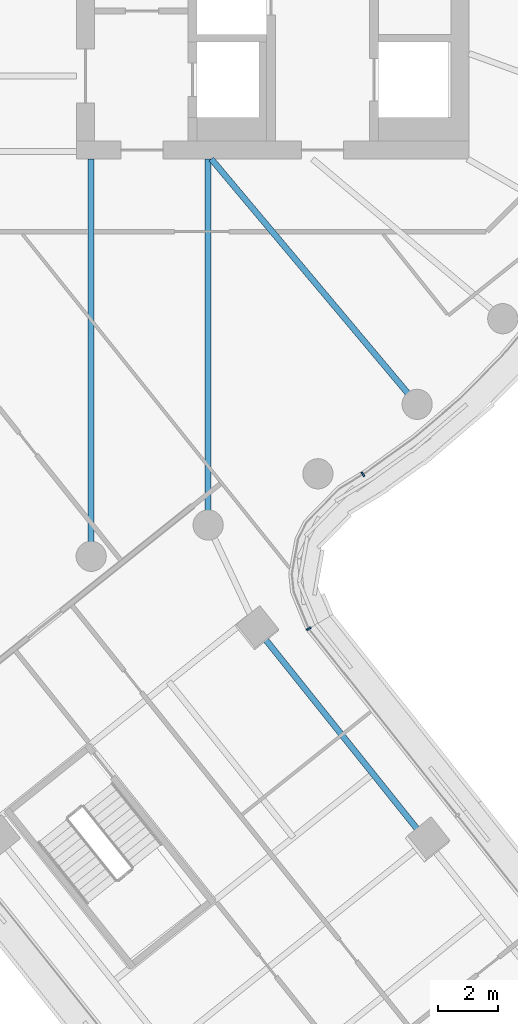
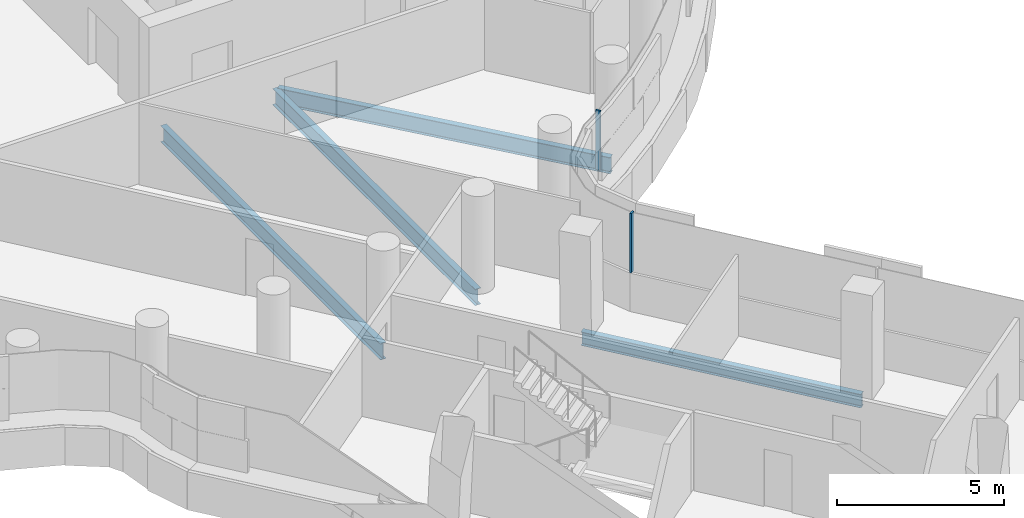
# One storey, part 6 of 31: 4 beams, 2 members, 1 element without a shape of its own.
"""IFC4 building model written with IfcOpenShell, lengths in metres."""

from ifc_helpers import new_model, si_unit, direction, frame, origin, origin_2d, place, context, subcontext, project, spatial, rectangle, i_section, extrude, material, layer, layer_set, material_profile, profile_set, type_object, element, aggregate, save


model = new_model("IFC4")

# Units and contexts
model_context = context("Model", 3, precision=1e-05, world=origin(), true_north=direction((0.0, 1.0)))
body_context = subcontext(model_context, "Body", "Model", "MODEL_VIEW")
ifc_project = project(units=[si_unit("LENGTHUNIT", "METRE"), si_unit("AREAUNIT", "SQUARE_METRE"), si_unit("VOLUMEUNIT", "CUBIC_METRE"), si_unit("PLANEANGLEUNIT", "RADIAN"), si_unit("MASSUNIT", "GRAM", prefix="KILO")], contexts=[model_context])

# Site, building, storey
site_placement = place(None, origin())
site = spatial("IfcSite", under=ifc_project, at=site_placement, CompositionType="ELEMENT")
building_placement = place(site_placement, origin())
building = spatial("IfcBuilding", under=site, at=building_placement, Name="Tamarind Cross Interchange Tower", CompositionType="ELEMENT")
storey_placement = place(building_placement, frame((0.0, 0.0, 174.25)))
storey = spatial("IfcBuildingStorey", under=building, at=storey_placement, Name="L43", CompositionType="ELEMENT", Elevation=174.25)

# Beams
ifc_material_1 = material(Name="Steel Q355B", Category="steel")
ifc_material_profile_1 = material_profile(ifc_material_1, i_section(OverallWidth=0.198974609375, OverallDepth=0.49609375, WebThickness=0.009033203125, FlangeThickness=0.013916015625, FilletRadius=0.012939453125, at=origin_2d()), Name="HN 496x199x9x14")
ifc_profile_set_1 = profile_set([ifc_material_profile_1], Name="Steel Q355B")
beam_type_1 = type_object("IfcBeamType", Name="Composite beam HN 496x199x9x14 Q355B", PredefinedType="BEAM", material=ifc_profile_set_1)
beam_1_placement = place(storey_placement, frame((15.1015625, -32.07373046875, -0.387939453125), z_axis=(-0.624652040483, 0.780903213158, 0.0), x_axis=(-0.780903213158, -0.624652040483, 0.0)))
element("IfcBeam", 1, at=beam_1_placement, inside=storey, type_object=beam_type_1, Name="Beam S-edgeep3", PredefinedType="BEAM", context=body_context, shape_type="SweptSolid", body=[
    extrude(i_section(OverallWidth=0.198974609375, OverallDepth=0.49609375, WebThickness=0.009033203125, FlangeThickness=0.013916015625, FilletRadius=0.012939453125, at=origin_2d()), origin(), (0.0, 0.0, 1.0), 9.0),
])
ifc_material_profile_2 = material_profile(ifc_material_1, i_section(OverallWidth=0.198974609375, OverallDepth=0.595947265625, WebThickness=0.010009765625, FlangeThickness=0.014892578125, FilletRadius=0.012939453125, at=origin_2d()), Name="HN 596x199x10x15")
ifc_profile_set_2 = profile_set([ifc_material_profile_2], Name="Steel Q355B")
beam_type_2 = type_object("IfcBeamType", Name="Composite beam HN 596x199x10x15 Q355B", PredefinedType="BEAM", material=ifc_profile_set_2)
beam_2_placement = place(storey_placement, frame((3.993896484375, -22.650634765625, -0.43798828125), z_axis=(0.0, 1.0, 0.0), x_axis=(-1.0, 0.0, 0.0)))
element("IfcBeam", 2, at=beam_2_placement, inside=storey, type_object=beam_type_2, Name="Beam HH28", PredefinedType="BEAM", context=body_context, shape_type="SweptSolid", body=[
    extrude(i_section(OverallWidth=0.198974609375, OverallDepth=0.595947265625, WebThickness=0.010009765625, FlangeThickness=0.014892578125, FilletRadius=0.012939453125, at=origin_2d()), origin(), (0.0, 0.0, 1.0), 13.150634765625),
])
beam_3_placement = place(storey_placement, frame((7.866455078125, -21.613037109375, -0.43798828125), z_axis=(0.0, 1.0, 0.0), x_axis=(-1.0, 0.0, 0.0)))
element("IfcBeam", 3, at=beam_3_placement, inside=storey, type_object=beam_type_2, Name="Beam HH29", PredefinedType="BEAM", context=body_context, shape_type="SweptSolid", body=[
    extrude(i_section(OverallWidth=0.198974609375, OverallDepth=0.595947265625, WebThickness=0.010009765625, FlangeThickness=0.014892578125, FilletRadius=0.012939453125, at=origin_2d()), origin(), (0.0, 0.0, 1.0), 12.113037109375),
])
beam_4_placement = place(storey_placement, frame((14.7841796875, -17.619140625, -0.43798828125), z_axis=(-0.642786293979, 0.766045547127, 0.0), x_axis=(-0.766045547127, -0.642786293979, 0.0)))
element("IfcBeam", 4, at=beam_4_placement, inside=storey, type_object=beam_type_2, Name="Beam HH31", PredefinedType="BEAM", context=body_context, shape_type="SweptSolid", body=[
    extrude(i_section(OverallWidth=0.198974609375, OverallDepth=0.595947265625, WebThickness=0.010009765625, FlangeThickness=0.014892578125, FilletRadius=0.012939453125, at=origin_2d()), origin(), (0.0, 0.0, 1.0), 10.598876953125),
])

# Curtain wall, members
ifc_material_2 = material(Name="Aluminium 6063-T6", Category="aluminium")
ifc_layer = layer(ifc_material_2, 0.159912109375)
ifc_layer_set = layer_set([ifc_layer], Name="Aluminium 6063-T6")
curtain_wall_type = type_object("IfcCurtainWallType", Name="Office curtain wall, 9.0 m bays", PredefinedType="NOTDEFINED", material=ifc_layer_set)
curtain_wall_placement = place(storey_placement, origin())
curtain_wall = element("IfcCurtainWall", 5, at=curtain_wall_placement, inside=storey, type_object=curtain_wall_type, Name="CWS-L43-06", PredefinedType="NOTDEFINED")
ifc_material_profile_3 = material_profile(ifc_material_2, rectangle(XDim=0.06005859375, YDim=0.159912109375, at=origin_2d()), Name="Mullion CW1")
ifc_profile_set_3 = profile_set([ifc_material_profile_3], Name="Aluminium 6063-T6")
member_type = type_object("IfcMemberType", Name="Mullion CW1", PredefinedType="MULLION", material=ifc_profile_set_3)
member_1_placement = place(storey_placement, frame((11.196533203125, -25.046630859375, 1.39990234375), z_axis=(0.0, 0.0, 1.0), x_axis=(-0.506387674577, 0.86230593355, 0.0)))
member_1 = element("IfcMember", 6, at=member_1_placement, type_object=member_type, Name="CWM-L43-06-00", PredefinedType="MULLION", context=body_context, shape_type="SweptSolid", body=[
    extrude(rectangle(XDim=0.06005859375, YDim=0.159912109375, at=origin_2d()), origin(), (0.0, 0.0, 1.0), 2.170166015625),
])
member_2_placement = place(storey_placement, frame((12.989501953125, -19.932373046875, 1.39990234375), z_axis=(0.0, 0.0, 1.0), x_axis=(0.854662661757, 0.519183719505, 0.0)))
member_2 = element("IfcMember", 7, at=member_2_placement, type_object=member_type, Name="CWM-L43-06-01", PredefinedType="MULLION", context=body_context, shape_type="SweptSolid", body=[
    extrude(rectangle(XDim=0.06005859375, YDim=0.159912109375, at=origin_2d()), origin(), (0.0, 0.0, 1.0), 2.170166015625),
])
aggregate(curtain_wall, [member_1, member_2])

save(model, "model.ifc")
